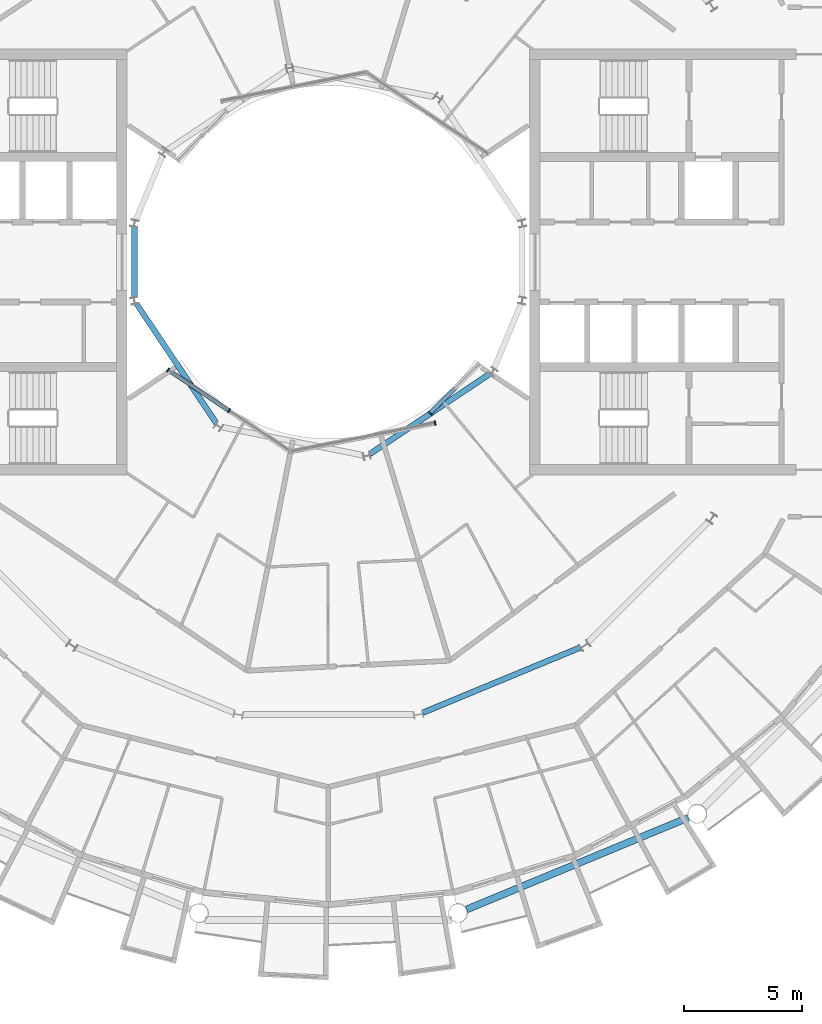
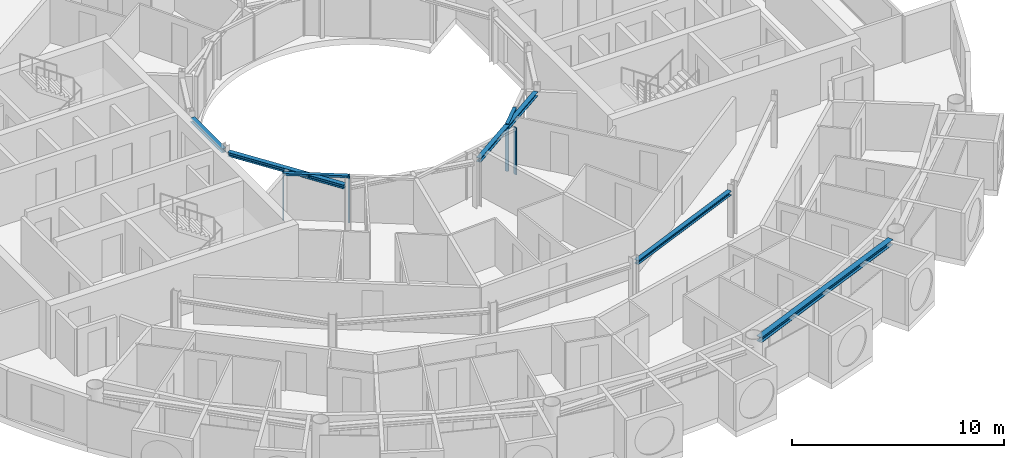
# One storey, part 7 of 29: 6 members, 5 beams, 3 elements without a shape of their own.
"""IFC4 building model written with IfcOpenShell, lengths in metres."""

from ifc_helpers import new_model, si_unit, direction, frame, origin, origin_2d, place, context, subcontext, project, spatial, rectangle, i_section, extrude, material, layer, layer_set, material_profile, profile_set, type_object, element, aggregate, save


model = new_model("IFC4")

# Units and contexts
model_context = context("Model", 3, precision=1e-05, world=origin(), true_north=direction((0.0, 1.0)))
body_context = subcontext(model_context, "Body", "Model", "MODEL_VIEW")
ifc_project = project(units=[si_unit("LENGTHUNIT", "METRE"), si_unit("AREAUNIT", "SQUARE_METRE"), si_unit("VOLUMEUNIT", "CUBIC_METRE"), si_unit("PLANEANGLEUNIT", "RADIAN"), si_unit("MASSUNIT", "GRAM", prefix="KILO")], contexts=[model_context])

# Site, building, storey
site_placement = place(None, origin())
site = spatial("IfcSite", under=ifc_project, at=site_placement, CompositionType="ELEMENT")
building_placement = place(site_placement, origin())
building = spatial("IfcBuilding", under=site, at=building_placement, Name="Maasbend Ring Residences", CompositionType="ELEMENT")
storey_placement = place(building_placement, frame((0.0, 0.0, 193.25)))
storey = spatial("IfcBuildingStorey", under=building, at=storey_placement, Name="L55", CompositionType="ELEMENT", Elevation=193.25)

# Curtain wall, members
ifc_material_1 = material(Name="Aluminium and clear glass", Category="aluminium")
ifc_layer = layer(ifc_material_1, 0.179931640625)
ifc_layer_set = layer_set([ifc_layer], Name="CW-W")
curtain_wall_type = type_object("IfcCurtainWallType", Name="CW-W", PredefinedType="NOTDEFINED", material=ifc_layer_set)
curtain_wall_1_placement = place(storey_placement, origin())
curtain_wall_1 = element("IfcCurtainWall", 1, at=curtain_wall_1_placement, inside=storey, type_object=curtain_wall_type, Name="Well curtain wall S1", PredefinedType="NOTDEFINED")
ifc_material_2 = material(Name="Aluminium 6063-T6", Category="aluminium")
ifc_material_profile_1 = material_profile(ifc_material_2, rectangle(XDim=0.179931640625, YDim=0.06005859375, at=origin_2d()), Name="AL 180x60")
ifc_profile_set_1 = profile_set([ifc_material_profile_1], Name="Aluminium 6063-T6")
member_type_1 = type_object("IfcMemberType", Name="CWM-W", PredefinedType="MULLION", material=ifc_profile_set_1)
member_1_placement = place(storey_placement, frame((-6.805908203125, -4.580810546875, 0.0), z_axis=(0.0, 0.0, 1.0), x_axis=(0.55557023302, 0.831469612303, 0.0)))
member_1 = element("IfcMember", 2, at=member_1_placement, type_object=member_type_1, Name="Mullion well face", PredefinedType="MULLION", context=body_context, shape_type="SweptSolid", body=[
    extrude(rectangle(XDim=0.179931640625, YDim=0.06005859375, at=origin_2d()), origin(), (0.0, 0.0, 1.0), 2.699951171875),
])
member_2_placement = place(storey_placement, frame((-4.216796875, -6.310791015625, 0.0), z_axis=(0.0, 0.0, 1.0), x_axis=(0.55557023302, 0.831469612303, 0.0)))
member_2 = element("IfcMember", 3, at=member_2_placement, type_object=member_type_1, Name="Mullion well face", PredefinedType="MULLION", context=body_context, shape_type="SweptSolid", body=[
    extrude(rectangle(XDim=0.179931640625, YDim=0.06005859375, at=origin_2d()), origin(), (0.0, 0.0, 1.0), 2.699951171875),
])

# Curtain wall, member
curtain_wall_2_placement = place(storey_placement, origin())
curtain_wall_2 = element("IfcCurtainWall", 4, at=curtain_wall_2_placement, inside=storey, type_object=curtain_wall_type, Name="Well curtain wall S2", PredefinedType="NOTDEFINED")
member_3_placement = place(storey_placement, frame((4.53466796875, -6.836669921875, 0.0), z_axis=(0.0, 0.0, 1.0), x_axis=(-0.195090322016, 0.980785280403, 0.0)))
member_3 = element("IfcMember", 5, at=member_3_placement, type_object=member_type_1, Name="Mullion well face", PredefinedType="MULLION", context=body_context, shape_type="SweptSolid", body=[
    extrude(rectangle(XDim=0.179931640625, YDim=0.06005859375, at=origin_2d()), origin(), (0.0, 0.0, 1.0), 2.699951171875),
])
aggregate(curtain_wall_2, [member_3])

curtain_wall_3_placement = place(storey_placement, origin())
curtain_wall_3 = element("IfcCurtainWall", 6, at=curtain_wall_3_placement, inside=storey, type_object=curtain_wall_type, Name="Well curtain wall S3", PredefinedType="NOTDEFINED")
member_4_placement = place(storey_placement, frame((4.320556640625, -6.413330078125, 0.0), z_axis=(0.0, 0.0, 1.0), x_axis=(-0.707106781187, 0.707106781187, 0.0)))
member_4 = element("IfcMember", 7, at=member_4_placement, type_object=member_type_1, Name="Mullion well face", PredefinedType="MULLION", context=body_context, shape_type="SweptSolid", body=[
    extrude(rectangle(XDim=0.179931640625, YDim=0.06005859375, at=origin_2d()), origin(), (0.0, 0.0, 1.0), 2.699951171875),
])

# Member
ifc_material_3 = material(Name="Aluminium 6063-T6", Category="aluminium")
ifc_material_profile_2 = material_profile(ifc_material_3, rectangle(XDim=0.179931640625, YDim=0.1201171875, at=origin_2d()), Name="AL 180x120")
ifc_profile_set_2 = profile_set([ifc_material_profile_2], Name="Aluminium 6063-T6")
member_type_2 = type_object("IfcMemberType", Name="CWT-W", PredefinedType="USERDEFINED", material=ifc_profile_set_2)
member_5_placement = place(storey_placement, frame((-6.781005859375, -4.59765625, 2.639892578125), z_axis=(0.831496422459, -0.555530106689, 0.0), x_axis=(0.555530106689, 0.831496422459, 0.0)))
member_5 = element("IfcMember", 8, at=member_5_placement, type_object=member_type_2, Name="Transom well face", ObjectType="TRANSOM", PredefinedType="USERDEFINED", context=body_context, shape_type="SweptSolid", body=[
    extrude(rectangle(XDim=0.179931640625, YDim=0.1201171875, at=origin_2d()), origin(), (0.0, 0.0, 1.0), 3.053955078125),
])

aggregate(curtain_wall_1, [member_1, member_2, member_5])

member_6_placement = place(storey_placement, frame((4.341796875, -6.39208984375, 2.639892578125), z_axis=(0.707106781187, 0.707106781187, 0.0), x_axis=(-0.707106781187, 0.707106781187, 0.0)))
member_6 = element("IfcMember", 9, at=member_6_placement, type_object=member_type_2, Name="Transom well face", ObjectType="TRANSOM", PredefinedType="USERDEFINED", context=body_context, shape_type="SweptSolid", body=[
    extrude(rectangle(XDim=0.179931640625, YDim=0.1201171875, at=origin_2d()), origin(), (0.0, 0.0, 1.0), 1.419677734375),
])

aggregate(curtain_wall_3, [member_4, member_6])

# Beams
ifc_material_4 = material(Name="Steel S355J2", Category="steel")
ifc_material_profile_3 = material_profile(ifc_material_4, i_section(OverallWidth=0.239990234375, OverallDepth=0.22998046875, WebThickness=0.007568359375, FlangeThickness=0.011962890625, FilletRadius=0.02099609375, at=origin_2d()), Name="HEA 240")
ifc_profile_set_3 = profile_set([ifc_material_profile_3], Name="Steel S355J2")
beam_type_1 = type_object("IfcBeamType", Name="Corridor ring beam HEA 240", PredefinedType="BEAM", material=ifc_profile_set_3)
beam_1_placement = place(storey_placement, frame((4.01220703125, -19.1455078125, 2.5849609375), z_axis=(0.923865162022, 0.382718123952, 0.0), x_axis=(-0.382718123952, 0.923865162022, 0.0)))
element("IfcBeam", 10, at=beam_1_placement, inside=storey, type_object=beam_type_1, Name="Corridor ring beam", PredefinedType="BEAM", context=body_context, shape_type="SweptSolid", body=[
    extrude(i_section(OverallWidth=0.239990234375, OverallDepth=0.22998046875, WebThickness=0.007568359375, FlangeThickness=0.011962890625, FilletRadius=0.02099609375, at=origin_2d()), origin(), (0.0, 0.0, 1.0), 7.23974609375),
])
ifc_material_5 = material(Name="Steel S355J2", Category="steel")
ifc_material_profile_4 = material_profile(ifc_material_5, i_section(OverallWidth=0.300048828125, OverallDepth=0.300048828125, WebThickness=0.010986328125, FlangeThickness=0.01904296875, FilletRadius=0.027099609375, at=origin_2d()), Name="HEB 300")
ifc_profile_set_4 = profile_set([ifc_material_profile_4], Name="Steel S355J2")
beam_type_2 = type_object("IfcBeamType", Name="Spandrel ring beam HEB 300", PredefinedType="SPANDREL", material=ifc_profile_set_4)
beam_2_placement = place(storey_placement, frame((5.877197265625, -27.50244140625, 2.550048828125), z_axis=(0.923883676188, 0.382673428492, 0.0), x_axis=(-0.382673428492, 0.923883676188, 0.0)))
element("IfcBeam", 11, at=beam_2_placement, inside=storey, type_object=beam_type_2, Name="Spandrel ring beam", PredefinedType="SPANDREL", context=body_context, shape_type="SweptSolid", body=[
    extrude(i_section(OverallWidth=0.300048828125, OverallDepth=0.300048828125, WebThickness=0.010986328125, FlangeThickness=0.01904296875, FilletRadius=0.027099609375, at=origin_2d()), origin(), (0.0, 0.0, 1.0), 10.18994140625),
])
ifc_material_6 = material(Name="Steel S355J2", Category="steel")
ifc_material_profile_5 = material_profile(ifc_material_6, i_section(OverallWidth=0.239990234375, OverallDepth=0.22998046875, WebThickness=0.007568359375, FlangeThickness=0.011962890625, FilletRadius=0.02099609375, at=origin_2d()), Name="HEA 240")
ifc_profile_set_5 = profile_set([ifc_material_profile_5], Name="Steel S355J2")
beam_type_3 = type_object("IfcBeamType", Name="Well edge beam HEA 240", PredefinedType="BEAM", material=ifc_profile_set_5)
beam_3_placement = place(storey_placement, frame((-8.238525390625, 1.490966796875, 2.5849609375), z_axis=(0.0, -1.0, 0.0), x_axis=(1.0, 0.0, 0.0)))
element("IfcBeam", 12, at=beam_3_placement, inside=storey, type_object=beam_type_3, Name="Well edge beam", PredefinedType="BEAM", context=body_context, shape_type="SweptSolid", body=[
    extrude(i_section(OverallWidth=0.239990234375, OverallDepth=0.22998046875, WebThickness=0.007568359375, FlangeThickness=0.011962890625, FilletRadius=0.02099609375, at=origin_2d()), origin(), (0.0, 0.0, 1.0), 2.98193359375),
])
for number, where, z_axis, x_axis, name in (
    (13, (-8.1513671875, -1.769287109375, 2.5849609375), (0.555584356119, -0.831460175376, 0.0), (0.831460175376, 0.555584356119, 0.0), "Well edge beam"),
    (14, (1.769287109375, -8.1513671875, 2.5849609375), (0.831460175376, 0.555584356119, 0.0), (-0.555584356119, 0.831460175376, 0.0), "Well edge beam"),
):
    element("IfcBeam", number, at=place(storey_placement, frame(where, z_axis=z_axis, x_axis=x_axis)), inside=storey, type_object=beam_type_3, Name=name, PredefinedType="BEAM", context=body_context, shape_type="SweptSolid", body=[
        extrude(i_section(OverallWidth=0.239990234375, OverallDepth=0.22998046875, WebThickness=0.007568359375, FlangeThickness=0.011962890625, FilletRadius=0.02099609375, at=origin_2d()), origin(), (0.0, 0.0, 1.0), 6.115234375),
    ])

save(model, "model.ifc")
